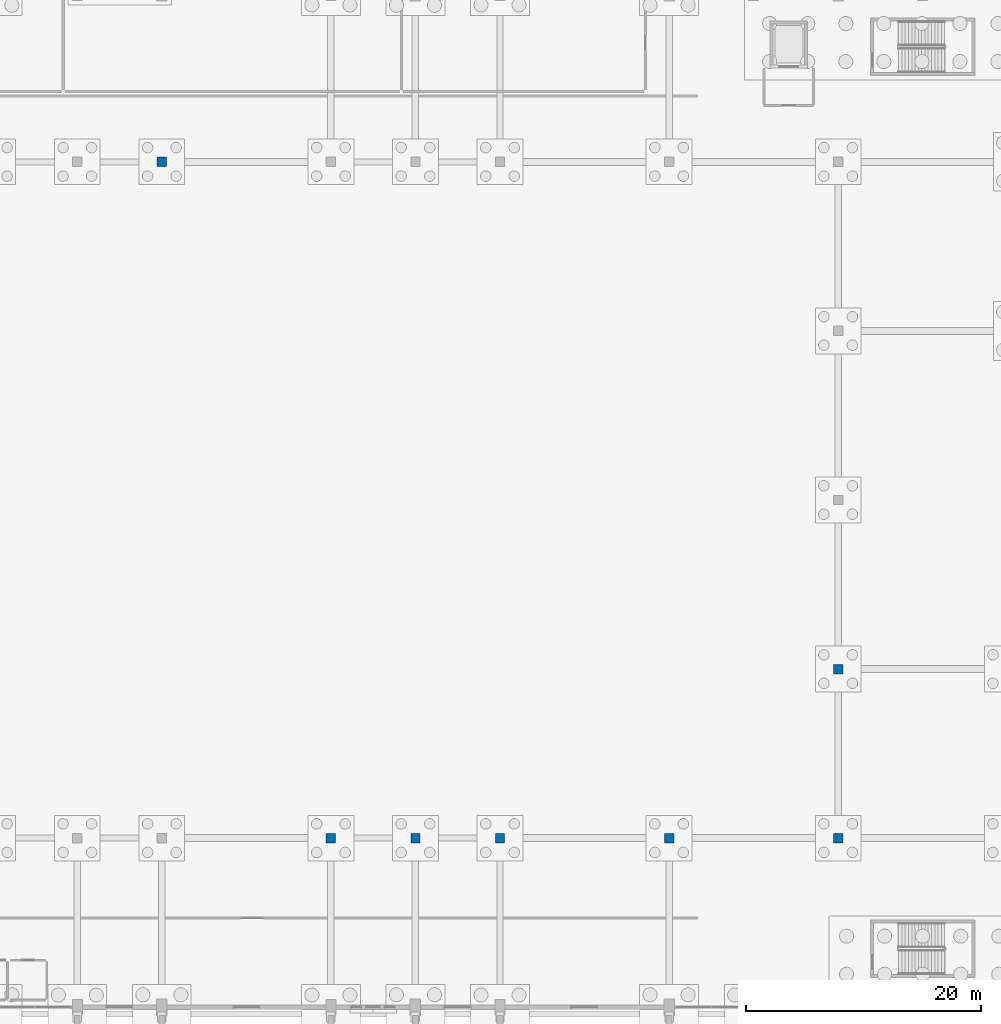
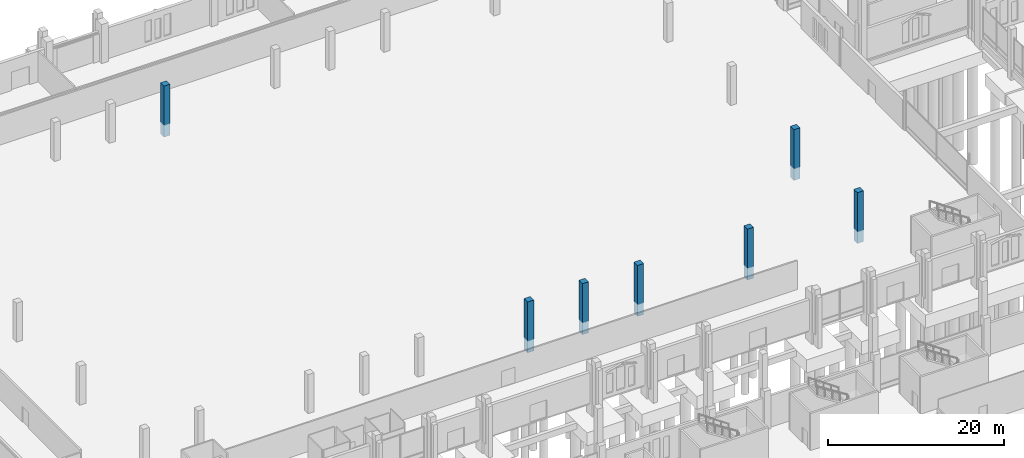
# One storey, part 14 of 192: 7 columns.
"""IFC4 building model written with IfcOpenShell, lengths in metres."""

from ifc_helpers import new_model, si_unit, direction, frame, origin, origin_2d, place, context, subcontext, project, spatial, rectangle, extrude, material, material_profile, profile_set, type_object, element, save


model = new_model("IFC4")

# Units and contexts
model_context = context("Model", 3, precision=1e-05, world=origin(), true_north=direction((0.0, 1.0)))
body_context = subcontext(model_context, "Body", "Model", "MODEL_VIEW")
ifc_project = project(units=[si_unit("LENGTHUNIT", "METRE"), si_unit("AREAUNIT", "SQUARE_METRE"), si_unit("VOLUMEUNIT", "CUBIC_METRE"), si_unit("PLANEANGLEUNIT", "RADIAN"), si_unit("MASSUNIT", "GRAM", prefix="KILO")], contexts=[model_context])

# Site, building, storey
site_placement = place(None, origin())
site = spatial("IfcSite", under=ifc_project, at=site_placement, CompositionType="ELEMENT")
building_placement = place(site_placement, origin())
building = spatial("IfcBuilding", under=site, at=building_placement, Name="Cendralis Lancet Convention Centre", CompositionType="ELEMENT")
storey_placement = place(building_placement, origin())
storey = spatial("IfcBuildingStorey", under=building, at=storey_placement, Name="L00", CompositionType="ELEMENT", Elevation=0.0)

# Columns
ifc_material = material(Name="Concrete G40 (C40/50)", Category="concrete")
ifc_material_profile = material_profile(ifc_material, rectangle(XDim=0.800048828125, YDim=0.800048828125, at=origin_2d()), Name="RC 800x800")
ifc_profile_set = profile_set([ifc_material_profile], Name="Concrete G40 (C40/50)")
column_type = type_object("IfcColumnType", Name="STR-COL-C05-INT", PredefinedType="COLUMN", material=ifc_profile_set)
for number, where, z_axis, x_axis, name in (
    (1, (108.0, 64.800048828125, -1.64990234375), (0.0, 0.0, 1.0), (1.0, 0.0, 0.0), "L00 Column C05 at 108.0,64.8"),
    (2, (108.0, 79.199951171875, -1.64990234375), (0.0, 0.0, 1.0), (1.0, 0.0, 0.0), "L00 Column C05 at 108.0,79.2"),
    (3, (50.39990234375, 122.39990234375, -1.64990234375), (0.0, 0.0, 1.0), (1.0, 0.0, 0.0), "L00 Column C05 at 50.4,122.4"),
    (4, (64.800048828125, 64.800048828125, -1.64990234375), (0.0, 0.0, 1.0), (1.0, 0.0, 0.0), "L00 Column C05 at 64.8,64.8"),
    (5, (72.0, 64.800048828125, -1.64990234375), (0.0, 0.0, 1.0), (1.0, 0.0, 0.0), "L00 Column C05 at 72.0,64.8"),
    (6, (79.199951171875, 64.800048828125, -1.64990234375), (0.0, 0.0, 1.0), (1.0, 0.0, 0.0), "L00 Column C05 at 79.2,64.8"),
    (7, (93.60009765625, 64.800048828125, -1.64990234375), (0.0, 0.0, 1.0), (1.0, 0.0, 0.0), "L00 Column C05 at 93.6,64.8"),
):
    element("IfcColumn", number, at=place(storey_placement, frame(where, z_axis=z_axis, x_axis=x_axis)), inside=storey, type_object=column_type, Name=name, PredefinedType="COLUMN", context=body_context, shape_type="SweptSolid", body=[
        extrude(rectangle(XDim=0.800048828125, YDim=0.800048828125, at=origin_2d()), origin(), (0.0, 0.0, 1.0), 7.0498046875),
    ])

save(model, "model.ifc")
